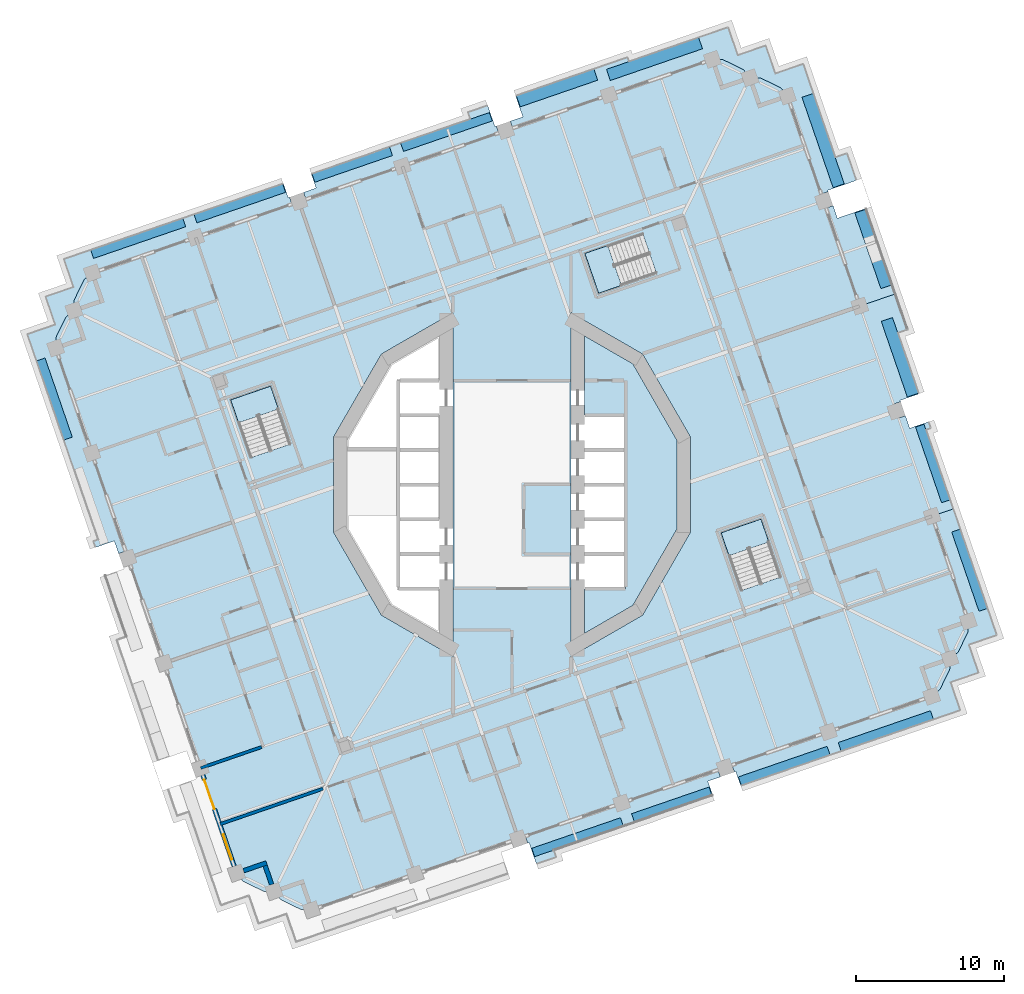
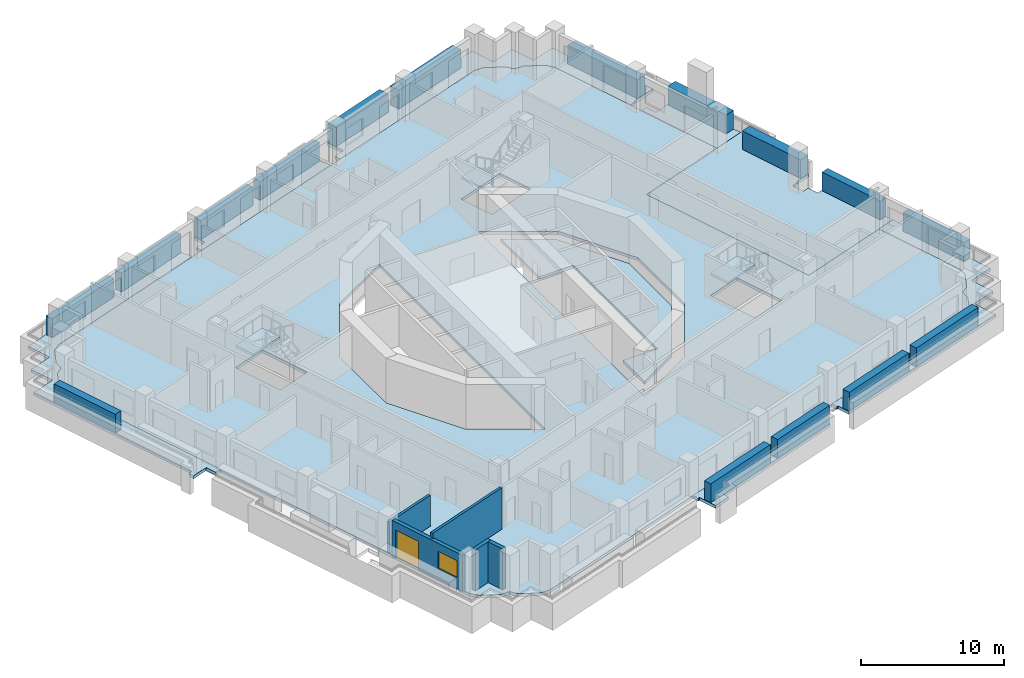
# One storey, part 3 of 19: 16 plates, 12 slabs, 5 walls, 1 door, 1 window, 2 openings, 3 elements without a shape of their own.
"""IFC4 building model written with IfcOpenShell, lengths in metres."""

from ifc_helpers import new_model, si_unit, direction, frame, frame_2d, origin, origin_2d, place, context, subcontext, project, spatial, polyline, rectangle, outline, extrude, material, layer, layer_set, type_object, element, fill, aggregate, save


model = new_model("IFC4")

# Units and contexts
model_context = context("Model", 3, precision=1e-05, world=origin(), true_north=direction((0.0, 1.0)))
body_context = subcontext(model_context, "Body", "Model", "MODEL_VIEW")
ifc_project = project(units=[si_unit("LENGTHUNIT", "METRE"), si_unit("AREAUNIT", "SQUARE_METRE"), si_unit("VOLUMEUNIT", "CUBIC_METRE"), si_unit("PLANEANGLEUNIT", "RADIAN"), si_unit("MASSUNIT", "GRAM", prefix="KILO")], contexts=[model_context])

# Site, building, storey
site_placement = place(None, origin())
site = spatial("IfcSite", under=ifc_project, at=site_placement, CompositionType="ELEMENT")
building_placement = place(site_placement, origin())
building = spatial("IfcBuilding", under=site, at=building_placement, Name="Cantera Rosa Tower", CompositionType="ELEMENT")
storey_placement = place(building_placement, frame((0.0, 0.0, 111.699951171875)))
storey = spatial("IfcBuildingStorey", under=building, at=storey_placement, Name="L22", CompositionType="ELEMENT", Elevation=111.699951171875)

# Slabs
ifc_material_1 = material(Name="Concrete C35/45", Category="concrete")
ifc_layer_1 = layer(ifc_material_1, 0.25)
ifc_layer_set_1 = layer_set([ifc_layer_1], Name="COMPOSITE FLOOR SLAB 250 C35/45")
slab_type_1 = type_object("IfcSlabType", Name="COMPOSITE FLOOR SLAB 250 C35/45", PredefinedType="FLOOR", material=ifc_layer_set_1)
slab_1_placement = place(storey_placement, frame((0.0, 0.0, -0.25)))
element("IfcSlab", 1, at=slab_1_placement, inside=storey, type_object=slab_type_1, Name="SLAB L22 floor 2", PredefinedType="FLOOR", context=body_context, shape_type="SweptSolid", body=[
    extrude(outline(polyline([(-15.605712890625, -28.125), (-15.631591796875, -28.111083984375), (-15.65576171875, -28.09423828125), (-15.67822265625, -28.075439453125), (-15.698974609375, -28.05419921875), (-16.109619140625, -27.54541015625), (-16.763671875, -27.534912109375), (-16.79296875, -27.53173828125), (-16.82177734375, -27.525634765625), (-16.849609375, -27.516845703125), (-16.876708984375, -27.505126953125), (-18.14794921875, -26.88525390625), (-18.173583984375, -26.87109375), (-18.197998046875, -26.8544921875), (-18.220458984375, -26.83544921875), (-18.240966796875, -26.814453125), (-18.65185546875, -26.3056640625), (-18.948974609375, -25.443115234375), (-30.893310546875, 9.245849609375), (-30.8828125, 9.899658203125), (-30.87939453125, 9.928955078125), (-30.873291015625, 9.957763671875), (-30.864501953125, 9.98583984375), (-30.852783203125, 10.012939453125), (-30.23291015625, 11.283935546875), (-30.21875, 11.309814453125), (-30.2021484375, 11.333984375), (-30.18310546875, 11.356689453125), (-30.162109375, 11.377197265625), (-29.6533203125, 11.7880859375), (-29.642822265625, 12.44189453125), (-29.6396484375, 12.47119140625), (-29.633544921875, 12.5), (-29.62451171875, 12.528076171875), (-29.613037109375, 12.55517578125), (-28.9931640625, 13.826171875), (-28.97900390625, 13.85205078125), (-28.962158203125, 13.876220703125), (-28.943359375, 13.898681640625), (-28.922119140625, 13.91943359375), (-28.41357421875, 14.330078125), (-27.55078125, 14.627197265625), (13.567626953125, 28.785400390625), (14.221435546875, 28.77490234375), (14.250732421875, 28.771728515625), (14.279541015625, 28.765625), (14.3076171875, 28.756591796875), (14.334716796875, 28.7451171875), (15.605712890625, 28.125), (15.631591796875, 28.111083984375), (15.65576171875, 28.09423828125), (15.67822265625, 28.075439453125), (15.698974609375, 28.05419921875), (16.109619140625, 27.54541015625), (16.763671875, 27.534912109375), (16.79296875, 27.53173828125), (16.82177734375, 27.525634765625), (16.849609375, 27.516845703125), (16.876708984375, 27.505126953125), (18.14794921875, 26.88525390625), (18.173583984375, 26.87109375), (18.197998046875, 26.8544921875), (18.220458984375, 26.83544921875), (18.240966796875, 26.814453125), (18.65185546875, 26.3056640625), (18.948974609375, 25.443115234375), (23.548583984375, 12.0849609375), (16.45703125, 9.643310546875), (21.353515625, -4.577392578125), (28.445068359375, -2.135498046875), (30.893310546875, -9.245849609375), (30.8828125, -9.899658203125), (30.87939453125, -9.928955078125), (30.873291015625, -9.957763671875), (30.864501953125, -9.98583984375), (30.852783203125, -10.012939453125), (30.23291015625, -11.283935546875), (30.21875, -11.309814453125), (30.2021484375, -11.333984375), (30.18310546875, -11.356689453125), (30.162109375, -11.377197265625), (29.6533203125, -11.7880859375), (29.642822265625, -12.44189453125), (29.6396484375, -12.47119140625), (29.633544921875, -12.5), (29.62451171875, -12.528076171875), (29.613037109375, -12.55517578125), (28.9931640625, -13.826171875), (28.97900390625, -13.85205078125), (28.962158203125, -13.876220703125), (28.943359375, -13.898681640625), (28.922119140625, -13.91943359375), (28.41357421875, -14.330078125), (27.55078125, -14.627197265625), (-13.567626953125, -28.785400390625), (-14.221435546875, -28.77490234375), (-14.250732421875, -28.771728515625), (-14.279541015625, -28.765625), (-14.3076171875, -28.756591796875), (-14.334716796875, -28.7451171875), (-15.605712890625, -28.125)]), holes=[polyline([(-12.07421875, 3.235107421875), (-12.07421875, -3.235107421875), (-8.8388671875, -8.8388671875), (-4.0, -11.632568359375), (-4.0, 11.632568359375), (-8.8388671875, 8.8388671875), (-12.07421875, 3.235107421875)]), polyline([(-16.347900390625, 6.6640625), (-19.042724609375, 5.736083984375), (-17.695556640625, 1.82373046875), (-15.000732421875, 2.751708984375), (-16.347900390625, 6.6640625)]), polyline([(16.85205078125, -2.3359375), (14.1572265625, -3.263916015625), (15.50439453125, -7.17626953125), (18.19921875, -6.248291015625), (16.85205078125, -2.3359375)]), polyline([(12.07421875, -3.235107421875), (12.07421875, 3.235107421875), (8.8388671875, 8.8388671875), (4.0, 11.632568359375), (4.0, -11.632568359375), (8.8388671875, -8.8388671875), (12.07421875, -3.235107421875)]), polyline([(8.848388671875, 16.999267578125), (4.935791015625, 15.652099609375), (5.86376953125, 12.957275390625), (9.7763671875, 14.304443359375), (8.848388671875, 16.999267578125)])]), origin(), (0.0, 0.0, 1.0), 0.25),
])
slab_2_placement = place(storey_placement, frame((0.0, 0.0, -0.25)))
element("IfcSlab", 2, at=slab_2_placement, inside=storey, type_object=slab_type_1, Name="SLAB L22 floor 3", PredefinedType="FLOOR", context=body_context, shape_type="SweptSolid", body=[
    extrude(outline(polyline([(7.699951171875, 0.0), (7.699951171875, 2.35009765625), (7.699951171875, 4.699951171875), (4.89990234375, 4.699951171875), (4.89990234375, 10.07373046875), (8.179931640625, 8.179931640625), (11.174072265625, 2.994140625), (11.174072265625, -2.994140625), (8.179931640625, -8.179931640625), (4.89990234375, -10.07373046875), (4.89990234375, -7.050048828125), (7.699951171875, -7.050048828125), (7.699951171875, -4.699951171875), (7.699951171875, -2.35009765625), (7.699951171875, 0.0)])), origin(), (0.0, 0.0, 1.0), 0.25),
])
ifc_material_2 = material(Name="Concrete C35/45", Category="concrete")
ifc_layer_2 = layer(ifc_material_2, 0.25)
ifc_layer_set_2 = layer_set([ifc_layer_2], Name="LOGGIA SLAB 250 C35/45")
slab_type_2 = type_object("IfcSlabType", Name="LOGGIA SLAB 250 C35/45", PredefinedType="FLOOR", material=ifc_layer_set_2)
slab_3_placement = place(storey_placement, frame((0.0, 0.0, -0.25)))
element("IfcSlab", 3, at=slab_3_placement, inside=storey, type_object=slab_type_2, Name="LOGGIA SLAB L22 1", PredefinedType="FLOOR", context=body_context, shape_type="SweptSolid", body=[
    extrude(outline(polyline([(-32.7998046875, 10.17578125), (-31.381591796875, 10.6640625), (-30.908935546875, 10.826904296875), (-31.071533203125, 11.2998046875), (-31.56005859375, 12.718017578125), (-30.1416015625, 13.206298828125), (-29.6689453125, 13.369140625), (-29.831787109375, 13.841796875), (-30.320068359375, 15.260009765625), (-28.90185546875, 15.74853515625), (-23.3232421875, 17.669189453125), (-20.48681640625, 18.64599609375), (-16.326416015625, 20.07861328125), (-15.4755859375, 20.37158203125), (-15.14990234375, 19.426025390625), (-15.055419921875, 19.45849609375), (-14.892578125, 18.98583984375), (-27.55078125, 14.627197265625), (-28.41357421875, 14.330078125), (-28.922119140625, 13.91943359375), (-28.943359375, 13.898681640625), (-28.962158203125, 13.876220703125), (-28.97900390625, 13.85205078125), (-28.9931640625, 13.826171875), (-29.613037109375, 12.55517578125), (-29.62451171875, 12.528076171875), (-29.633544921875, 12.5), (-29.6396484375, 12.47119140625), (-29.642822265625, 12.44189453125), (-29.6533203125, 11.7880859375), (-30.162109375, 11.377197265625), (-30.18310546875, 11.356689453125), (-30.2021484375, 11.333984375), (-30.21875, 11.309814453125), (-30.23291015625, 11.283935546875), (-30.852783203125, 10.012939453125), (-30.864501953125, 9.98583984375), (-30.873291015625, 9.957763671875), (-30.87939453125, 9.928955078125), (-30.8828125, 9.899658203125), (-30.893310546875, 9.245849609375), (-26.159423828125, -4.501953125), (-26.63232421875, -4.664794921875), (-26.92529296875, -3.813720703125), (-28.18896484375, -4.248779296875), (-28.3310546875, -3.836181640625), (-28.012939453125, -3.7265625), (-29.375, 0.22900390625), (-30.3515625, 3.0654296875), (-32.3115234375, 8.757568359375), (-32.7998046875, 10.17578125)])), origin(), (0.0, 0.0, 1.0), 0.25),
])
slab_4_placement = place(storey_placement, frame((0.0, 0.0, -0.25)))
element("IfcSlab", 4, at=slab_4_placement, inside=storey, type_object=slab_type_2, Name="LOGGIA SLAB L22 4", PredefinedType="FLOOR", context=body_context, shape_type="SweptSolid", body=[
    extrude(outline(polyline([(-1.644287109375, 25.661865234375), (-1.15625, 24.244384765625), (-1.061767578125, 24.277099609375), (-0.89892578125, 23.80419921875), (-13.947021484375, 19.311279296875), (-14.10986328125, 19.7841796875), (-13.2587890625, 20.0771484375), (-13.58447265625, 21.022705078125), (-13.489990234375, 21.05517578125), (-9.343505859375, 22.48291015625), (-9.348388671875, 22.496826171875), (-2.8095703125, 24.748291015625), (-2.96728515625, 25.206298828125), (-1.644287109375, 25.661865234375)])), origin(), (0.0, 0.0, 1.0), 0.25),
])
slab_5_placement = place(storey_placement, frame((0.0, 0.0, -0.25)))
element("IfcSlab", 5, at=slab_5_placement, inside=storey, type_object=slab_type_2, Name="LOGGIA SLAB L22 5", PredefinedType="FLOOR", context=body_context, shape_type="SweptSolid", body=[
    extrude(outline(polyline([(14.10986328125, -19.7841796875), (13.2587890625, -20.0771484375), (13.58447265625, -21.022705078125), (13.489990234375, -21.05517578125), (9.343505859375, -22.48291015625), (9.348388671875, -22.496826171875), (2.8095703125, -24.748291015625), (2.96728515625, -25.206298828125), (1.644287109375, -25.661865234375), (1.15625, -24.244384765625), (1.061767578125, -24.277099609375), (0.89892578125, -23.80419921875), (13.947021484375, -19.311279296875), (14.10986328125, -19.7841796875)])), origin(), (0.0, 0.0, 1.0), 0.25),
])
slab_6_placement = place(storey_placement, frame((0.0, 0.0, -0.25)))
element("IfcSlab", 6, at=slab_6_placement, inside=storey, type_object=slab_type_2, Name="LOGGIA SLAB L22 6", PredefinedType="FLOOR", context=body_context, shape_type="SweptSolid", body=[
    extrude(outline(polyline([(15.272705078125, 29.05517578125), (15.556396484375, 29.15283203125), (17.16357421875, 29.706298828125), (17.717041015625, 28.09912109375), (17.814697265625, 27.815185546875), (18.098388671875, 27.9130859375), (19.705810546875, 28.466552734375), (20.25927734375, 26.859130859375), (21.882568359375, 22.14501953125), (22.67138671875, 22.41650390625), (23.301025390625, 20.587646484375), (21.377685546875, 19.92529296875), (21.41015625, 19.830810546875), (20.9375, 19.668212890625), (18.948974609375, 25.443115234375), (18.65185546875, 26.3056640625), (18.240966796875, 26.814453125), (18.220458984375, 26.83544921875), (18.197998046875, 26.8544921875), (18.173583984375, 26.87109375), (18.14794921875, 26.88525390625), (16.876708984375, 27.505126953125), (16.849609375, 27.516845703125), (16.82177734375, 27.525634765625), (16.79296875, 27.53173828125), (16.763671875, 27.534912109375), (16.109619140625, 27.54541015625), (15.698974609375, 28.05419921875), (15.67822265625, 28.075439453125), (15.65576171875, 28.09423828125), (15.631591796875, 28.111083984375), (15.605712890625, 28.125), (14.334716796875, 28.7451171875), (14.3076171875, 28.756591796875), (14.279541015625, 28.765625), (14.250732421875, 28.771728515625), (14.221435546875, 28.77490234375), (13.567626953125, 28.785400390625), (0.046630859375, 24.1298828125), (-0.1162109375, 24.6025390625), (0.73486328125, 24.8955078125), (0.24658203125, 26.31298828125), (7.81005859375, 28.91748046875), (7.907470703125, 28.634521484375), (13.01416015625, 30.392822265625), (14.62158203125, 30.9462890625), (15.1748046875, 29.3388671875), (15.272705078125, 29.05517578125)])), origin(), (0.0, 0.0, 1.0), 0.25),
])
slab_7_placement = place(storey_placement, frame((0.0, 0.0, -0.25)))
element("IfcSlab", 7, at=slab_7_placement, inside=storey, type_object=slab_type_2, Name="LOGGIA SLAB L22 7", PredefinedType="FLOOR", context=body_context, shape_type="SweptSolid", body=[
    extrude(outline(polyline([(25.944580078125, 12.91015625), (23.548583984375, 12.0849609375), (21.262939453125, 18.72265625), (21.735595703125, 18.885498046875), (22.02880859375, 18.034423828125), (23.9521484375, 18.69677734375), (25.944580078125, 12.91015625)])), origin(), (0.0, 0.0, 1.0), 0.25),
])
slab_8_placement = place(storey_placement, frame((0.0, 0.0, -0.25)))
element("IfcSlab", 8, at=slab_8_placement, inside=storey, type_object=slab_type_2, Name="LOGGIA SLAB L22 8", PredefinedType="FLOOR", context=body_context, shape_type="SweptSolid", body=[
    extrude(outline(polyline([(30.908935546875, -10.826904296875), (31.071533203125, -11.2998046875), (31.56005859375, -12.718017578125), (30.1416015625, -13.206298828125), (29.6689453125, -13.369140625), (29.831787109375, -13.841796875), (30.320068359375, -15.260009765625), (28.90185546875, -15.74853515625), (23.3232421875, -17.669189453125), (20.48681640625, -18.64599609375), (16.326416015625, -20.07861328125), (15.4755859375, -20.37158203125), (15.14990234375, -19.426025390625), (15.055419921875, -19.45849609375), (14.892578125, -18.98583984375), (27.55078125, -14.627197265625), (28.41357421875, -14.330078125), (28.922119140625, -13.91943359375), (28.943359375, -13.898681640625), (28.962158203125, -13.876220703125), (28.97900390625, -13.85205078125), (28.9931640625, -13.826171875), (29.613037109375, -12.55517578125), (29.62451171875, -12.528076171875), (29.633544921875, -12.5), (29.6396484375, -12.47119140625), (29.642822265625, -12.44189453125), (29.6533203125, -11.7880859375), (30.162109375, -11.377197265625), (30.18310546875, -11.356689453125), (30.2021484375, -11.333984375), (30.21875, -11.309814453125), (30.23291015625, -11.283935546875), (30.852783203125, -10.012939453125), (30.864501953125, -9.98583984375), (30.873291015625, -9.957763671875), (30.87939453125, -9.928955078125), (30.8828125, -9.899658203125), (30.893310546875, -9.245849609375), (28.445068359375, -2.135498046875), (29.86328125, -1.647216796875), (30.3515625, -3.0654296875), (32.3115234375, -8.757568359375), (32.7998046875, -10.17578125), (31.381591796875, -10.6640625), (30.908935546875, -10.826904296875)])), origin(), (0.0, 0.0, 1.0), 0.25),
])

# Plates
ifc_material_3 = material(Name="Cantera stone planter with soil", Category="masonry")
plate_type_1 = type_object("IfcPlateType", Name="PLANTER 600", PredefinedType="USERDEFINED", material=ifc_material_3)
plate_1_placement = place(storey_placement, frame((30.974609375, -5.79638671875, 0.0), z_axis=(0.0, 0.0, 1.0), x_axis=(-0.325568154457, 0.945518575599, 0.0)))
element("IfcPlate", 9, at=plate_1_placement, inside=storey, type_object=plate_type_1, Name="PLANTER L22-01", ObjectType="PLANTER", PredefinedType="USERDEFINED", context=body_context, shape_type="SweptSolid", body=[
    extrude(rectangle(XDim=5.669921875, YDim=0.60009765625, at=origin_2d()), origin(), (0.0, 0.0, 1.0), 1.60009765625),
])
plate_2_placement = place(storey_placement, frame((28.485595703125, 1.43212890625, 0.0), z_axis=(0.0, 0.0, 1.0), x_axis=(-0.325568154457, 0.945518575599, 0.0)))
element("IfcPlate", 10, at=plate_2_placement, inside=storey, type_object=plate_type_1, Name="PLANTER L22-02", ObjectType="PLANTER", PredefinedType="USERDEFINED", context=body_context, shape_type="SweptSolid", body=[
    extrude(rectangle(XDim=5.419921875, YDim=0.60009765625, at=origin_2d()), origin(), (0.0, 0.0, 1.0), 1.60009765625),
])
plate_3_placement = place(storey_placement, frame((-4.438232421875, 23.870361328125, 0.0), z_axis=(0.0, 0.0, 1.0), x_axis=(-0.945518575599, -0.325568154457, 0.0)))
element("IfcPlate", 11, at=plate_3_placement, inside=storey, type_object=plate_type_1, Name="PLANTER L22-08", ObjectType="PLANTER", PredefinedType="USERDEFINED", context=body_context, shape_type="SweptSolid", body=[
    extrude(rectangle(XDim=6.35009765625, YDim=0.60009765625, at=origin_2d()), origin(), (0.0, 0.0, 1.0), 1.60009765625),
])
plate_4_placement = place(storey_placement, frame((-10.815673828125, 21.65869140625, 0.0), z_axis=(0.0, 0.0, 1.0), x_axis=(-0.945518575599, -0.325568154457, 0.0)))
element("IfcPlate", 12, at=plate_4_placement, inside=storey, type_object=plate_type_1, Name="PLANTER L22-09", ObjectType="PLANTER", PredefinedType="USERDEFINED", context=body_context, shape_type="SweptSolid", body=[
    extrude(rectangle(XDim=5.550048828125, YDim=0.60009765625, at=origin_2d()), origin(), (0.0, 0.0, 1.0), 1.60009765625),
])
plate_5_placement = place(storey_placement, frame((-18.427001953125, 19.037841796875, 0.0), z_axis=(0.0, 0.0, 1.0), x_axis=(-0.945518575599, -0.325568154457, 0.0)))
element("IfcPlate", 13, at=plate_5_placement, inside=storey, type_object=plate_type_1, Name="PLANTER L22-10", ObjectType="PLANTER", PredefinedType="USERDEFINED", context=body_context, shape_type="SweptSolid", body=[
    extrude(rectangle(XDim=6.35009765625, YDim=0.60009765625, at=origin_2d()), origin(), (0.0, 0.0, 1.0), 1.60009765625),
])
plate_6_placement = place(storey_placement, frame((-25.3056640625, 16.66943359375, 0.0), z_axis=(0.0, 0.0, 1.0), x_axis=(-0.945518575599, -0.325568154457, 0.0)))
element("IfcPlate", 14, at=plate_6_placement, inside=storey, type_object=plate_type_1, Name="PLANTER L22-11", ObjectType="PLANTER", PredefinedType="USERDEFINED", context=body_context, shape_type="SweptSolid", body=[
    extrude(rectangle(XDim=6.60009765625, YDim=0.60009765625, at=origin_2d()), origin(), (0.0, 0.0, 1.0), 1.60009765625),
])
plate_7_placement = place(storey_placement, frame((-30.974609375, 5.79638671875, 0.0), z_axis=(0.0, 0.0, 1.0), x_axis=(0.325568154457, -0.945518575599, 0.0)))
element("IfcPlate", 15, at=plate_7_placement, inside=storey, type_object=plate_type_1, Name="PLANTER L22-12", ObjectType="PLANTER", PredefinedType="USERDEFINED", context=body_context, shape_type="SweptSolid", body=[
    extrude(rectangle(XDim=5.669921875, YDim=0.60009765625, at=origin_2d()), origin(), (0.0, 0.0, 1.0), 1.60009765625),
])
plate_8_placement = place(storey_placement, frame((4.438232421875, -23.870361328125, 0.0), z_axis=(0.0, 0.0, 1.0), x_axis=(0.945518575599, 0.325568154457, 0.0)))
element("IfcPlate", 16, at=plate_8_placement, inside=storey, type_object=plate_type_1, Name="PLANTER L22-19", ObjectType="PLANTER", PredefinedType="USERDEFINED", context=body_context, shape_type="SweptSolid", body=[
    extrude(rectangle(XDim=6.35009765625, YDim=0.60009765625, at=origin_2d()), origin(), (0.0, 0.0, 1.0), 1.60009765625),
])
plate_9_placement = place(storey_placement, frame((10.815673828125, -21.65869140625, 0.0), z_axis=(0.0, 0.0, 1.0), x_axis=(0.945518575599, 0.325568154457, 0.0)))
element("IfcPlate", 17, at=plate_9_placement, inside=storey, type_object=plate_type_1, Name="PLANTER L22-20", ObjectType="PLANTER", PredefinedType="USERDEFINED", context=body_context, shape_type="SweptSolid", body=[
    extrude(rectangle(XDim=5.550048828125, YDim=0.60009765625, at=origin_2d()), origin(), (0.0, 0.0, 1.0), 1.60009765625),
])
plate_10_placement = place(storey_placement, frame((18.427001953125, -19.037841796875, 0.0), z_axis=(0.0, 0.0, 1.0), x_axis=(0.945518575599, 0.325568154457, 0.0)))
element("IfcPlate", 18, at=plate_10_placement, inside=storey, type_object=plate_type_1, Name="PLANTER L22-21", ObjectType="PLANTER", PredefinedType="USERDEFINED", context=body_context, shape_type="SweptSolid", body=[
    extrude(rectangle(XDim=6.35009765625, YDim=0.60009765625, at=origin_2d()), origin(), (0.0, 0.0, 1.0), 1.60009765625),
])
plate_11_placement = place(storey_placement, frame((25.3056640625, -16.66943359375, 0.0), z_axis=(0.0, 0.0, 1.0), x_axis=(0.945518575599, 0.325568154457, 0.0)))
element("IfcPlate", 19, at=plate_11_placement, inside=storey, type_object=plate_type_1, Name="PLANTER L22-22", ObjectType="PLANTER", PredefinedType="USERDEFINED", context=body_context, shape_type="SweptSolid", body=[
    extrude(rectangle(XDim=6.60009765625, YDim=0.60009765625, at=origin_2d()), origin(), (0.0, 0.0, 1.0), 1.60009765625),
])
ifc_material_4 = material(Name="Cantera stone planter with soil", Category="masonry")
plate_type_2 = type_object("IfcPlateType", Name="PLANTER 800", PredefinedType="USERDEFINED", material=ifc_material_4)
for number, where, z_axis, x_axis, name in (
    (20, (26.260986328125, 8.619384765625, 0.0), (0.0, 0.0, 1.0), (-0.325568154457, 0.945518575599, 0.0), "PLANTER L22-03"),
    (21, (24.47265625, 15.956787109375, 0.0), (0.0, 0.0, 1.0), (-0.325568154457, 0.945518575599, 0.0), "PLANTER L22-04"),
):
    element("IfcPlate", number, at=place(storey_placement, frame(where, z_axis=z_axis, x_axis=x_axis)), inside=storey, type_object=plate_type_2, Name=name, ObjectType="PLANTER", PredefinedType="USERDEFINED", context=body_context, shape_type="SweptSolid", body=[
        extrude(rectangle(XDim=5.419921875, YDim=0.800048828125, at=origin_2d()), origin(), (0.0, 0.0, 1.0), 1.60009765625),
    ])
plate_12_placement = place(storey_placement, frame((21.064453125, 23.2919921875, 0.0), z_axis=(0.0, 0.0, 1.0), x_axis=(-0.325568154457, 0.945518575599, 0.0)))
element("IfcPlate", 22, at=plate_12_placement, inside=storey, type_object=plate_type_2, Name="PLANTER L22-05", ObjectType="PLANTER", PredefinedType="USERDEFINED", context=body_context, shape_type="SweptSolid", body=[
    extrude(rectangle(XDim=6.469970703125, YDim=0.800048828125, at=origin_2d()), origin(), (0.0, 0.0, 1.0), 1.60009765625),
])
plate_13_placement = place(storey_placement, frame((9.64599609375, 28.81005859375, 0.0), z_axis=(0.0, 0.0, 1.0), x_axis=(-0.945518575599, -0.325568154457, 0.0)))
element("IfcPlate", 23, at=plate_13_placement, inside=storey, type_object=plate_type_2, Name="PLANTER L22-06", ObjectType="PLANTER", PredefinedType="USERDEFINED", context=body_context, shape_type="SweptSolid", body=[
    extrude(rectangle(XDim=6.60009765625, YDim=0.800048828125, at=origin_2d()), origin(), (0.0, 0.0, 1.0), 1.60009765625),
])
plate_14_placement = place(storey_placement, frame((3.048095703125, 26.8544921875, 0.0), z_axis=(0.0, 0.0, 1.0), x_axis=(-0.945518575599, -0.325568154457, 0.0)))
element("IfcPlate", 24, at=plate_14_placement, inside=storey, type_object=plate_type_2, Name="PLANTER L22-07", ObjectType="PLANTER", PredefinedType="USERDEFINED", context=body_context, shape_type="SweptSolid", body=[
    extrude(rectangle(XDim=5.550048828125, YDim=0.800048828125, at=origin_2d()), origin(), (0.0, 0.0, 1.0), 1.60009765625),
])

# Stair, slab
ifc_material_5 = material(Name="Concrete C35/45", Category="concrete")
stair_type = type_object("IfcStairType", Name="EXIT STAIR 1350 DOGLEG", PredefinedType="HALF_TURN_STAIR", material=ifc_material_5)
stair_1_placement = place(storey_placement, origin())
stair_1 = element("IfcStair", 25, at=stair_1_placement, inside=storey, type_object=stair_type, Name="L22 ST-21", PredefinedType="HALF_TURN_STAIR")
ifc_material_6 = material(Name="Concrete C35/45", Category="concrete")
ifc_layer_3 = layer(ifc_material_6, 0.199951171875)
ifc_layer_set_3 = layer_set([ifc_layer_3], Name="STAIR LANDING 200")
slab_type_3 = type_object("IfcSlabType", Name="STAIR LANDING 200", PredefinedType="LANDING", material=ifc_layer_set_3)
slab_9_placement = place(storey_placement, frame((0.0, 0.0, 1.699951171875)))
slab_9 = element("IfcSlab", 26, at=slab_9_placement, type_object=slab_type_3, Name="ST-21 landing 1", PredefinedType="LANDING", context=body_context, shape_type="SweptSolid", body=[
    extrude(outline(polyline([(6.488525390625, 16.1865234375), (4.935791015625, 15.652099609375), (5.86376953125, 12.957275390625), (7.416259765625, 13.491943359375), (6.488525390625, 16.1865234375)])), origin(), (0.0, 0.0, 1.0), 0.2001953125),
])
aggregate(stair_1, [slab_9])

stair_2_placement = place(storey_placement, origin())
stair_2 = element("IfcStair", 27, at=stair_2_placement, inside=storey, type_object=stair_type, Name="L22 ST-22", PredefinedType="HALF_TURN_STAIR")
slab_10_placement = place(storey_placement, frame((0.0, 0.0, 1.699951171875)))
slab_10 = element("IfcSlab", 28, at=slab_10_placement, type_object=slab_type_3, Name="ST-22 landing 1", PredefinedType="LANDING", context=body_context, shape_type="SweptSolid", body=[
    extrude(outline(polyline([(-15.8134765625, 5.111572265625), (-16.347900390625, 6.6640625), (-19.042724609375, 5.736328125), (-18.508056640625, 4.18359375), (-15.8134765625, 5.111572265625)])), origin(), (0.0, 0.0, 1.0), 0.2001953125),
])
aggregate(stair_2, [slab_10])

stair_3_placement = place(storey_placement, origin())
stair_3 = element("IfcStair", 29, at=stair_3_placement, inside=storey, type_object=stair_type, Name="L22 ST-23", PredefinedType="HALF_TURN_STAIR")
slab_11_placement = place(storey_placement, frame((0.0, 0.0, 1.699951171875)))
slab_11 = element("IfcSlab", 30, at=slab_11_placement, type_object=slab_type_3, Name="ST-23 landing 1", PredefinedType="LANDING", context=body_context, shape_type="SweptSolid", body=[
    extrude(outline(polyline([(17.38671875, -3.888427734375), (16.85205078125, -2.3359375), (14.1572265625, -3.263671875), (14.69189453125, -4.81640625), (17.38671875, -3.888427734375)])), origin(), (0.0, 0.0, 1.0), 0.2001953125),
])
aggregate(stair_3, [slab_11])

# Slab
ifc_material_7 = material(Name="Concrete C35/45", Category="concrete")
ifc_layer_4 = layer(ifc_material_7, 0.25)
ifc_layer_set_4 = layer_set([ifc_layer_4], Name="TERRACE SLAB 250 C35/45")
slab_type_4 = type_object("IfcSlabType", Name="TERRACE SLAB 250 C35/45", PredefinedType="FLOOR", material=ifc_layer_set_4)
slab_12_placement = place(storey_placement, frame((0.0, 0.0, -0.25)))
element("IfcSlab", 31, at=slab_12_placement, inside=storey, type_object=slab_type_4, Name="TERRACE SLAB L22 1", PredefinedType="FLOOR", context=body_context, shape_type="SweptSolid", body=[
    extrude(outline(polyline([(28.445068359375, -2.135498046875), (21.353515625, -4.577392578125), (16.45703125, 9.643310546875), (23.548583984375, 12.0849609375), (25.944580078125, 12.91015625), (26.769775390625, 10.513916015625), (26.110107421875, 10.28662109375), (27.537841796875, 6.139892578125), (26.274169921875, 5.704833984375), (26.306640625, 5.6103515625), (25.833984375, 5.447509765625), (26.159423828125, 4.501953125), (26.63232421875, 4.664794921875), (26.92529296875, 3.813720703125), (28.18896484375, 4.248779296875), (28.3310546875, 3.836181640625), (28.012939453125, 3.7265625), (29.375, -0.22900390625), (29.86328125, -1.647216796875), (28.445068359375, -2.135498046875)])), origin(), (0.0, 0.0, 1.0), 0.25),
])

# Walls
ifc_material_8 = material(Name="Hollow clay masonry with cantera stone cladding", Category="masonry")
ifc_layer_5 = layer(ifc_material_8, 0.300048828125)
ifc_layer_set_5 = layer_set([ifc_layer_5], Name="EW-LOGGIA 300")
wall_type_1 = type_object("IfcWallType", Name="EW-LOGGIA 300", PredefinedType="SOLIDWALL", material=ifc_layer_set_5)
wall_1_placement = place(storey_placement, frame((-18.17919921875, -26.142822265625, 0.0), z_axis=(0.0, 0.0, 1.0), x_axis=(0.945530119553, 0.32553462645, 0.0)))
element("IfcWall", 32, at=wall_1_placement, inside=storey, type_object=wall_type_1, Name="EN-L22-W21a", PredefinedType="SOLIDWALL", context=body_context, shape_type="SweptSolid", body=[
    extrude(rectangle(XDim=1.64990234375, YDim=0.300048828125, at=frame_2d((0.824951171875, 0.0))), origin(), (0.0, 0.0, 1.0), 3.5),
])
wall_2_placement = place(storey_placement, frame((-16.7119140625, -25.79638671875, 0.0), z_axis=(0.0, 0.0, 1.0), x_axis=(0.325544748006, -0.945526634763, 0.0)))
element("IfcWall", 33, at=wall_2_placement, inside=storey, type_object=wall_type_1, Name="EN-L22-W21b", PredefinedType="SOLIDWALL", context=body_context, shape_type="SweptSolid", body=[
    extrude(rectangle(XDim=1.349853515625, YDim=0.300048828125, at=frame_2d((0.6748046875, 0.0))), origin(), (0.0, 0.0, 1.0), 3.5),
])

# Wall, openings, window, door
ifc_material_9 = material(Name="Hollow clay masonry with cantera stone cladding", Category="masonry")
ifc_layer_6 = layer(ifc_material_9, 0.300048828125)
ifc_layer_set_6 = layer_set([ifc_layer_6], Name="EW-LOGGIA 300 H3090")
wall_type_2 = type_object("IfcWallType", Name="EW-LOGGIA 300 H3090", PredefinedType="SOLIDWALL", material=ifc_layer_set_6)
wall_3_placement = place(storey_placement, frame((-20.9375, -19.668212890625, 0.0), z_axis=(0.0, 0.0, 1.0), x_axis=(0.325592517631, -0.945510186335, 0.0)))
wall_3 = element("IfcWall", 34, at=wall_3_placement, inside=storey, type_object=wall_type_2, Name="EN-L22-W20", PredefinedType="SOLIDWALL", context=body_context, shape_type="SweptSolid", body=[
    extrude(rectangle(XDim=6.519775390625, YDim=0.300048828125, at=frame_2d((3.259765625, 0.0))), origin(), (0.0, 0.0, 1.0), 3.090087890625),
])
opening_1_placement = place(wall_3_placement, frame((0.330078125, 0.0, 0.0)))
opening_1 = element("IfcOpeningElement", 35, at=opening_1_placement, cuts=wall_3, Name="Opening L22-TD27", PredefinedType="OPENING", context=body_context, shape_type="SweptSolid", body=[
    extrude(rectangle(XDim=2.10009765625, YDim=2.39990234375, at=frame_2d((1.050048828125, 1.199951171875))), frame((0.0, 0.159912109375, 0.0), z_axis=(0.0, -1.0, 0.0), x_axis=(1.0, 0.0, 0.0)), (0.0, 0.0, 1.0), 0.320068359375),
])
opening_2_placement = place(wall_3_placement, frame((4.239990234375, 0.0, 0.89990234375)))
opening_2 = element("IfcOpeningElement", 36, at=opening_2_placement, cuts=wall_3, Name="Opening L22-W28", PredefinedType="OPENING", context=body_context, shape_type="SweptSolid", body=[
    extrude(rectangle(XDim=1.800048828125, YDim=1.5, at=frame_2d((0.89990234375, 0.75))), frame((0.0, 0.159912109375, 0.0), z_axis=(0.0, -1.0, 0.0), x_axis=(1.0, 0.0, 0.0)), (0.0, 0.0, 1.0), 0.320068359375),
])
ifc_material_10 = material(Name="Aluminium frame with clear glass", Category="aluminium")
window_type = type_object("IfcWindowType", Name="Hotel room window 1800x1500", PartitioningType="DOUBLE_PANEL_VERTICAL", PredefinedType="WINDOW", material=ifc_material_10)
window_placement = place(opening_2_placement, origin())
window = element("IfcWindow", 37, at=window_placement, inside=storey, type_object=window_type, Name="WINDOW L22-W28", OverallHeight=1.5, OverallWidth=1.800048828125, PartitioningType="SINGLE_PANEL", PredefinedType="WINDOW", context=body_context, shape_type="SweptSolid", body=[
    extrude(rectangle(XDim=1.800048828125, YDim=1.5, at=frame_2d((0.89990234375, 0.75))), frame((0.0, 0.030029296875, 0.0), z_axis=(0.0, -1.0, 0.0), x_axis=(1.0, 0.0, 0.0)), (0.0, 0.0, 1.0), 0.06005859375),
])
fill(opening_2, window)
ifc_material_11 = material(Name="Aluminium frame with clear glass", Category="aluminium")
door_type = type_object("IfcDoorType", Name="TD-H 2100x2400", OperationType="NOTDEFINED", PredefinedType="DOOR", material=ifc_material_11)
door_placement = place(opening_1_placement, origin())
door = element("IfcDoor", 38, at=door_placement, inside=storey, type_object=door_type, Name="LOGGIA DOOR L22-TD27", OperationType="SLIDING_TO_LEFT", OverallHeight=2.39990234375, OverallWidth=2.10009765625, PredefinedType="DOOR", context=body_context, shape_type="SweptSolid", body=[
    extrude(rectangle(XDim=2.10009765625, YDim=2.39990234375, at=frame_2d((1.050048828125, 1.199951171875))), frame((0.0, 0.02490234375, 0.0), z_axis=(0.0, -1.0, 0.0), x_axis=(1.0, 0.0, 0.0)), (0.0, 0.0, 1.0), 0.050048828125),
])
fill(opening_1, door)

# Walls
ifc_material_12 = material(Name="Gypsum board partition")
ifc_layer_7 = layer(ifc_material_12, 0.199951171875)
ifc_layer_set_7 = layer_set([ifc_layer_7], Name="PARTITION 200 H2650")
wall_type_3 = type_object("IfcWallType", Name="PARTITION 200 H2650", PredefinedType="PARTITIONING", material=ifc_layer_set_7)
wall_4_placement = place(storey_placement, frame((-16.93994140625, -17.7626953125, 0.0), z_axis=(0.0, 0.0, 1.0), x_axis=(-0.945508265481, -0.325598095676, 0.0)))
element("IfcWall", 39, at=wall_4_placement, inside=storey, type_object=wall_type_3, Name="PARTITION L22-021", PredefinedType="PARTITIONING", context=body_context, shape_type="SweptSolid", body=[
    extrude(rectangle(XDim=4.369873046875, YDim=0.199951171875, at=frame_2d((2.18505859375, 0.0))), origin(), (0.0, 0.0, 1.0), 2.650146484375),
])
ifc_material_13 = material(Name="Gypsum board partition")
ifc_layer_8 = layer(ifc_material_13, 0.199951171875)
ifc_layer_set_8 = layer_set([ifc_layer_8], Name="PARTY WALL 200 H3550")
wall_type_4 = type_object("IfcWallType", Name="PARTY WALL 200 H3550", PredefinedType="PARTITIONING", material=ifc_layer_set_8)
wall_5_placement = place(storey_placement, frame((-19.762939453125, -22.986572265625, 0.0), z_axis=(0.0, 0.0, 1.0), x_axis=(0.945516523202, 0.32557411499, 0.0)))
element("IfcWall", 40, at=wall_5_placement, inside=storey, type_object=wall_type_4, Name="PARTY WALL L22-012", PredefinedType="PARTITIONING", context=body_context, shape_type="SweptSolid", body=[
    extrude(rectangle(XDim=7.369873046875, YDim=0.199951171875, at=frame_2d((3.68505859375, 0.0))), origin(), (0.0, 0.0, 1.0), 3.550048828125),
])

save(model, "model.ifc")
